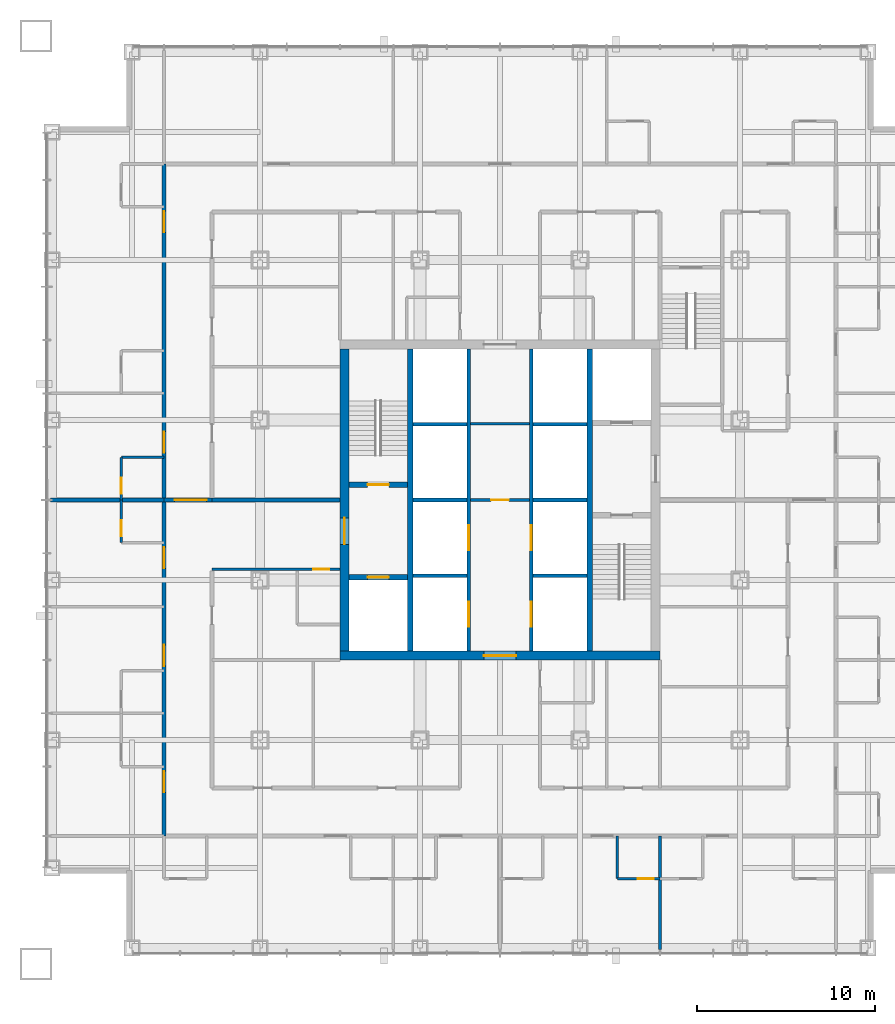
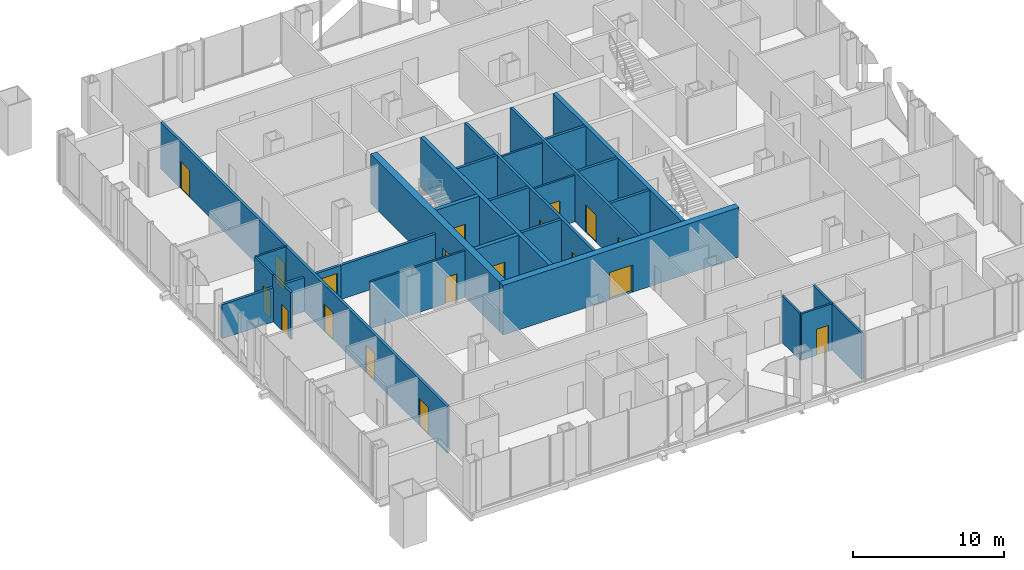
# One storey, part 8 of 13: 27 walls, 19 doors, 19 openings.
"""IFC4 building model written with IfcOpenShell, lengths in metres."""

from ifc_helpers import new_model, si_unit, direction, frame, frame_2d, origin, place, context, subcontext, project, spatial, rectangle, extrude, material, layer, layer_set, type_object, element, fill, save


model = new_model("IFC4")

# Units and contexts
model_context = context("Model", 3, precision=1e-05, world=origin(), true_north=direction((0.0, 1.0)))
body_context = subcontext(model_context, "Body", "Model", "MODEL_VIEW")
ifc_project = project(units=[si_unit("LENGTHUNIT", "METRE"), si_unit("AREAUNIT", "SQUARE_METRE"), si_unit("VOLUMEUNIT", "CUBIC_METRE"), si_unit("PLANEANGLEUNIT", "RADIAN"), si_unit("MASSUNIT", "GRAM", prefix="KILO")], contexts=[model_context])

# Site, building, storey
site_placement = place(None, origin())
site = spatial("IfcSite", under=ifc_project, at=site_placement, CompositionType="ELEMENT")
building_placement = place(site_placement, origin())
building = spatial("IfcBuilding", under=site, at=building_placement, Name="Malebo Sky Hospital", CompositionType="ELEMENT")
storey_placement = place(building_placement, frame((0.0, 0.0, 75.0)))
storey = spatial("IfcBuildingStorey", under=building, at=storey_placement, Name="L17", CompositionType="ELEMENT", Elevation=75.0)

# Wall, openings, doors
ifc_material_1 = material(Name="Concrete C80/95", Category="concrete")
ifc_layer_1 = layer(ifc_material_1, 0.199951171875)
ifc_layer_set_1 = layer_set([ifc_layer_1], Name="CORE INNER WALL 200")
wall_type_1 = type_object("IfcWallType", Name="CORE INNER WALL 200", PredefinedType="SHEAR", material=ifc_layer_set_1)
wall_1_placement = place(storey_placement, frame((58.25, 53.5, 0.0), z_axis=(0.0, 0.0, 1.0), x_axis=(0.0, 1.0, 0.0)))
wall_1 = element("IfcWall", 1, at=wall_1_placement, inside=storey, type_object=wall_type_1, Name="Core wall LW L17", PredefinedType="SHEAR", context=body_context, shape_type="SweptSolid", body=[
    extrude(rectangle(XDim=17.0, YDim=0.199951171875, at=frame_2d((8.5, 0.0))), origin(), (0.0, 0.0, 1.0), 4.0),
])
opening_1_placement = place(wall_1_placement, frame((1.375, 0.0, 0.0)))
opening_1 = element("IfcOpeningElement", 2, at=opening_1_placement, cuts=wall_1, Name="Opening LD1", PredefinedType="OPENING", context=body_context, shape_type="SweptSolid", body=[
    extrude(rectangle(XDim=1.39990234375, YDim=2.199951171875, at=frame_2d((0.699951171875, 1.10009765625))), frame((0.0, 0.10986328125, 0.0), z_axis=(0.0, -1.0, 0.0), x_axis=(1.0, 0.0, 0.0)), (0.0, 0.0, 1.0), 0.219970703125),
])
opening_2_placement = place(wall_1_placement, frame((5.675048828125, 0.0, 0.0)))
opening_2 = element("IfcOpeningElement", 3, at=opening_2_placement, cuts=wall_1, Name="Opening LD1", PredefinedType="OPENING", context=body_context, shape_type="SweptSolid", body=[
    extrude(rectangle(XDim=1.39990234375, YDim=2.199951171875, at=frame_2d((0.699951171875, 1.10009765625))), frame((0.0, 0.10986328125, 0.0), z_axis=(0.0, -1.0, 0.0), x_axis=(1.0, 0.0, 0.0)), (0.0, 0.0, 1.0), 0.219970703125),
])
ifc_material_2 = material(Name="Stainless steel sliding landing door", Category="steel")
door_type_1 = type_object("IfcDoorType", Name="LIFT LANDING DOOR 1400", OperationType="SLIDING_TO_LEFT", PredefinedType="DOOR", material=ifc_material_2)
door_1_placement = place(opening_1_placement, origin())
door_1 = element("IfcDoor", 4, at=door_1_placement, inside=storey, type_object=door_type_1, Name="Lift W1 landing door", OperationType="SLIDING_TO_LEFT", OverallHeight=2.199951171875, OverallWidth=1.39990234375, PredefinedType="DOOR", context=body_context, shape_type="SweptSolid", body=[
    extrude(rectangle(XDim=1.39990234375, YDim=2.199951171875, at=frame_2d((0.699951171875, 1.10009765625))), frame((0.0, 0.02490234375, 0.0), z_axis=(0.0, -1.0, 0.0), x_axis=(1.0, 0.0, 0.0)), (0.0, 0.0, 1.0), 0.050048828125),
])
fill(opening_1, door_1)
door_2_placement = place(opening_2_placement, origin())
door_2 = element("IfcDoor", 5, at=door_2_placement, inside=storey, type_object=door_type_1, Name="Lift W2 landing door", OperationType="SLIDING_TO_LEFT", OverallHeight=2.199951171875, OverallWidth=1.39990234375, PredefinedType="DOOR", context=body_context, shape_type="SweptSolid", body=[
    extrude(rectangle(XDim=1.39990234375, YDim=2.199951171875, at=frame_2d((0.699951171875, 1.10009765625))), frame((0.0, 0.02490234375, 0.0), z_axis=(0.0, -1.0, 0.0), x_axis=(1.0, 0.0, 0.0)), (0.0, 0.0, 1.0), 0.050048828125),
])
fill(opening_2, door_2)

wall_2_placement = place(storey_placement, frame((61.75, 53.5, 0.0), z_axis=(0.0, 0.0, 1.0), x_axis=(0.0, 1.0, 0.0)))
wall_2 = element("IfcWall", 6, at=wall_2_placement, inside=storey, type_object=wall_type_1, Name="Core wall LE L17", PredefinedType="SHEAR", context=body_context, shape_type="SweptSolid", body=[
    extrude(rectangle(XDim=17.0, YDim=0.199951171875, at=frame_2d((8.5, 0.0))), origin(), (0.0, 0.0, 1.0), 4.0),
])
opening_3_placement = place(wall_2_placement, frame((1.375, 0.0, 0.0)))
opening_3 = element("IfcOpeningElement", 7, at=opening_3_placement, cuts=wall_2, Name="Opening LD1", PredefinedType="OPENING", context=body_context, shape_type="SweptSolid", body=[
    extrude(rectangle(XDim=1.39990234375, YDim=2.199951171875, at=frame_2d((0.699951171875, 1.10009765625))), frame((0.0, 0.10986328125, 0.0), z_axis=(0.0, -1.0, 0.0), x_axis=(1.0, 0.0, 0.0)), (0.0, 0.0, 1.0), 0.219970703125),
])
opening_4_placement = place(wall_2_placement, frame((5.675048828125, 0.0, 0.0)))
opening_4 = element("IfcOpeningElement", 8, at=opening_4_placement, cuts=wall_2, Name="Opening LD1", PredefinedType="OPENING", context=body_context, shape_type="SweptSolid", body=[
    extrude(rectangle(XDim=1.39990234375, YDim=2.199951171875, at=frame_2d((0.699951171875, 1.10009765625))), frame((0.0, 0.10986328125, 0.0), z_axis=(0.0, -1.0, 0.0), x_axis=(1.0, 0.0, 0.0)), (0.0, 0.0, 1.0), 0.219970703125),
])
door_3_placement = place(opening_3_placement, origin())
door_3 = element("IfcDoor", 9, at=door_3_placement, inside=storey, type_object=door_type_1, Name="Lift E1 landing door", OperationType="SLIDING_TO_LEFT", OverallHeight=2.199951171875, OverallWidth=1.39990234375, PredefinedType="DOOR", context=body_context, shape_type="SweptSolid", body=[
    extrude(rectangle(XDim=1.39990234375, YDim=2.199951171875, at=frame_2d((0.699951171875, 1.10009765625))), frame((0.0, 0.02490234375, 0.0), z_axis=(0.0, -1.0, 0.0), x_axis=(1.0, 0.0, 0.0)), (0.0, 0.0, 1.0), 0.050048828125),
])
fill(opening_3, door_3)
door_4_placement = place(opening_4_placement, origin())
door_4 = element("IfcDoor", 10, at=door_4_placement, inside=storey, type_object=door_type_1, Name="Lift E2 landing door", OperationType="SLIDING_TO_LEFT", OverallHeight=2.199951171875, OverallWidth=1.39990234375, PredefinedType="DOOR", context=body_context, shape_type="SweptSolid", body=[
    extrude(rectangle(XDim=1.39990234375, YDim=2.199951171875, at=frame_2d((0.699951171875, 1.10009765625))), frame((0.0, 0.02490234375, 0.0), z_axis=(0.0, -1.0, 0.0), x_axis=(1.0, 0.0, 0.0)), (0.0, 0.0, 1.0), 0.050048828125),
])
fill(opening_4, door_4)

# Walls
for number, where, z_axis, x_axis, name in (
    (11, (55.10009765625, 57.75, 0.0), (0.0, 0.0, 1.0), (1.0, 0.0, 0.0), "Core wall SW0 L17"),
    (12, (61.85009765625, 57.75, 0.0), (0.0, 0.0, 1.0), (1.0, 0.0, 0.0), "Core wall SE0 L17"),
    (13, (55.10009765625, 62.0, 0.0), (0.0, 0.0, 1.0), (1.0, 0.0, 0.0), "Core wall SW1 L17"),
    (14, (61.85009765625, 62.0, 0.0), (0.0, 0.0, 1.0), (1.0, 0.0, 0.0), "Core wall SE1 L17"),
    (15, (55.10009765625, 66.25, 0.0), (0.0, 0.0, 1.0), (1.0, 0.0, 0.0), "Core wall SW2 L17"),
    (16, (61.85009765625, 66.25, 0.0), (0.0, 0.0, 1.0), (1.0, 0.0, 0.0), "Core wall SE2 L17"),
):
    element("IfcWall", number, at=place(storey_placement, frame(where, z_axis=z_axis, x_axis=x_axis)), inside=storey, type_object=wall_type_1, Name=name, PredefinedType="SHEAR", context=body_context, shape_type="SweptSolid", body=[
        extrude(rectangle(XDim=3.0498046875, YDim=0.199951171875, at=frame_2d((1.52490234375, 0.0))), origin(), (0.0, 0.0, 1.0), 4.0),
    ])
ifc_layer_2 = layer(ifc_material_1, 0.300048828125)
ifc_layer_set_2 = layer_set([ifc_layer_2], Name="CORE INNER WALL 300")
wall_type_2 = type_object("IfcWallType", Name="CORE INNER WALL 300", PredefinedType="SHEAR", material=ifc_layer_set_2)
for number, where, z_axis, x_axis, name in (
    (17, (54.949951171875, 53.5, 0.0), (0.0, 0.0, 1.0), (0.0, 1.0, 0.0), "Core wall XW L17"),
    (18, (65.050048828125, 53.5, 0.0), (0.0, 0.0, 1.0), (0.0, 1.0, 0.0), "Core wall XE L17"),
):
    element("IfcWall", number, at=place(storey_placement, frame(where, z_axis=z_axis, x_axis=x_axis)), inside=storey, type_object=wall_type_2, Name=name, PredefinedType="SHEAR", context=body_context, shape_type="SweptSolid", body=[
        extrude(rectangle(XDim=17.0, YDim=0.300048828125, at=frame_2d((8.5, 0.0))), origin(), (0.0, 0.0, 1.0), 4.0),
    ])

# Wall, opening, door
wall_3_placement = place(storey_placement, frame((51.5, 62.85009765625, 0.0), z_axis=(0.0, 0.0, 1.0), x_axis=(1.0, 0.0, 0.0)))
wall_3 = element("IfcWall", 19, at=wall_3_placement, inside=storey, type_object=wall_type_2, Name="Core wall W1 L17", PredefinedType="SHEAR", context=body_context, shape_type="SweptSolid", body=[
    extrude(rectangle(XDim=3.300048828125, YDim=0.300048828125, at=frame_2d((1.64990234375, 0.0))), origin(), (0.0, 0.0, 1.0), 4.0),
])
opening_5_placement = place(wall_3_placement, frame((1.050048828125, 0.0, 0.0)))
opening_5 = element("IfcOpeningElement", 20, at=opening_5_placement, cuts=wall_3, Name="Opening D08", PredefinedType="OPENING", context=body_context, shape_type="SweptSolid", body=[
    extrude(rectangle(XDim=1.199951171875, YDim=2.10009765625, at=frame_2d((0.60009765625, 1.050048828125))), frame((0.0, 0.159912109375, 0.0), z_axis=(0.0, -1.0, 0.0), x_axis=(1.0, 0.0, 0.0)), (0.0, 0.0, 1.0), 0.320068359375),
])
ifc_material_3 = material(Name="Hardwood-faced door leaf in steel frame", Category="steel")
door_type_2 = type_object("IfcDoorType", Name="STAIR DOOR 1200", OperationType="SINGLE_SWING_LEFT", PredefinedType="DOOR", material=ifc_material_3)
door_5_placement = place(opening_5_placement, origin())
door_5 = element("IfcDoor", 21, at=door_5_placement, inside=storey, type_object=door_type_2, Name="Stair S1 door", OperationType="SINGLE_SWING_LEFT", OverallHeight=2.10009765625, OverallWidth=1.199951171875, PredefinedType="DOOR", context=body_context, shape_type="SweptSolid", body=[
    extrude(rectangle(XDim=1.199951171875, YDim=2.10009765625, at=frame_2d((0.60009765625, 1.050048828125))), frame((0.0, 0.02490234375, 0.0), z_axis=(0.0, -1.0, 0.0), x_axis=(1.0, 0.0, 0.0)), (0.0, 0.0, 1.0), 0.050048828125),
])
fill(opening_5, door_5)

wall_4_placement = place(storey_placement, frame((51.5, 57.64990234375, 0.0), z_axis=(0.0, 0.0, 1.0), x_axis=(1.0, 0.0, 0.0)))
wall_4 = element("IfcWall", 22, at=wall_4_placement, inside=storey, type_object=wall_type_2, Name="Core wall W2 L17", PredefinedType="SHEAR", context=body_context, shape_type="SweptSolid", body=[
    extrude(rectangle(XDim=3.300048828125, YDim=0.300048828125, at=frame_2d((1.64990234375, 0.0))), origin(), (0.0, 0.0, 1.0), 4.0),
])
opening_6_placement = place(wall_4_placement, frame((1.050048828125, 0.0, 0.0)))
opening_6 = element("IfcOpeningElement", 23, at=opening_6_placement, cuts=wall_4, Name="Opening LD2", PredefinedType="OPENING", context=body_context, shape_type="SweptSolid", body=[
    extrude(rectangle(XDim=1.199951171875, YDim=2.199951171875, at=frame_2d((0.60009765625, 1.10009765625))), frame((0.0, 0.159912109375, 0.0), z_axis=(0.0, -1.0, 0.0), x_axis=(1.0, 0.0, 0.0)), (0.0, 0.0, 1.0), 0.320068359375),
])
door_type_3 = type_object("IfcDoorType", Name="FIRE-FIGHTING LIFT LANDING DOOR 1200", OperationType="SLIDING_TO_LEFT", PredefinedType="DOOR", material=ifc_material_2)
door_6_placement = place(opening_6_placement, origin())
door_6 = element("IfcDoor", 24, at=door_6_placement, inside=storey, type_object=door_type_3, Name="Lift FL1 landing door", OperationType="SLIDING_TO_LEFT", OverallHeight=2.199951171875, OverallWidth=1.199951171875, PredefinedType="DOOR", context=body_context, shape_type="SweptSolid", body=[
    extrude(rectangle(XDim=1.199951171875, YDim=2.199951171875, at=frame_2d((0.60009765625, 1.10009765625))), frame((0.0, 0.02490234375, 0.0), z_axis=(0.0, -1.0, 0.0), x_axis=(1.0, 0.0, 0.0)), (0.0, 0.0, 1.0), 0.050048828125),
])
fill(opening_6, door_6)

ifc_layer_3 = layer(ifc_material_1, 0.5)
ifc_layer_set_3 = layer_set([ifc_layer_3], Name="CORE WALL 500")
wall_type_3 = type_object("IfcWallType", Name="CORE WALL 500", PredefinedType="SHEAR", material=ifc_layer_set_3)
wall_5_placement = place(storey_placement, frame((51.0, 53.25, 0.0), z_axis=(0.0, 0.0, 1.0), x_axis=(1.0, 0.0, 0.0)))
wall_5 = element("IfcWall", 25, at=wall_5_placement, inside=storey, type_object=wall_type_3, Name="Core wall S L17", PredefinedType="SHEAR", context=body_context, shape_type="SweptSolid", body=[
    extrude(rectangle(XDim=18.0, YDim=0.5, at=frame_2d((9.0, 0.0))), origin(), (0.0, 0.0, 1.0), 4.0),
])
opening_7_placement = place(wall_5_placement, frame((8.10009765625, 0.0, 0.0)))
opening_7 = element("IfcOpeningElement", 26, at=opening_7_placement, cuts=wall_5, Name="Opening D06", PredefinedType="OPENING", context=body_context, shape_type="SweptSolid", body=[
    extrude(rectangle(XDim=1.800048828125, YDim=2.199951171875, at=frame_2d((0.89990234375, 1.10009765625))), frame((0.0, 0.260009765625, 0.0), z_axis=(0.0, -1.0, 0.0), x_axis=(1.0, 0.0, 0.0)), (0.0, 0.0, 1.0), 0.52001953125),
])
door_type_4 = type_object("IfcDoorType", Name="LOBBY DOOR PAIR 1800", OperationType="DOUBLE_DOOR_SINGLE_SWING", PredefinedType="DOOR", material=ifc_material_3)
door_7_placement = place(opening_7_placement, origin())
door_7 = element("IfcDoor", 27, at=door_7_placement, inside=storey, type_object=door_type_4, Name="Lift lobby door south", OperationType="DOUBLE_DOOR_SINGLE_SWING", OverallHeight=2.199951171875, OverallWidth=1.800048828125, PredefinedType="DOOR", context=body_context, shape_type="SweptSolid", body=[
    extrude(rectangle(XDim=1.800048828125, YDim=2.199951171875, at=frame_2d((0.89990234375, 1.10009765625))), frame((0.0, 0.02490234375, 0.0), z_axis=(0.0, -1.0, 0.0), x_axis=(1.0, 0.0, 0.0)), (0.0, 0.0, 1.0), 0.050048828125),
])
fill(opening_7, door_7)

wall_6_placement = place(storey_placement, frame((51.25, 53.5, 0.0), z_axis=(0.0, 0.0, 1.0), x_axis=(0.0, 1.0, 0.0)))
wall_6 = element("IfcWall", 28, at=wall_6_placement, inside=storey, type_object=wall_type_3, Name="Core wall W L17", PredefinedType="SHEAR", context=body_context, shape_type="SweptSolid", body=[
    extrude(rectangle(XDim=17.0, YDim=0.5, at=frame_2d((8.5, 0.0))), origin(), (0.0, 0.0, 1.0), 4.0),
])
opening_8_placement = place(wall_6_placement, frame((6.0, 0.0, 0.0)))
opening_8 = element("IfcOpeningElement", 29, at=opening_8_placement, cuts=wall_6, Name="Opening D07", PredefinedType="OPENING", context=body_context, shape_type="SweptSolid", body=[
    extrude(rectangle(XDim=1.5, YDim=2.199951171875, at=frame_2d((0.75, 1.10009765625))), frame((0.0, 0.260009765625, 0.0), z_axis=(0.0, -1.0, 0.0), x_axis=(1.0, 0.0, 0.0)), (0.0, 0.0, 1.0), 0.52001953125),
])
door_type_5 = type_object("IfcDoorType", Name="FIRE-FIGHTING LOBBY DOOR PAIR 1500", OperationType="DOUBLE_DOOR_SINGLE_SWING", PredefinedType="DOOR", material=ifc_material_3)
door_8_placement = place(opening_8_placement, origin())
door_8 = element("IfcDoor", 30, at=door_8_placement, inside=storey, type_object=door_type_5, Name="Fire-fighting lobby door west", OperationType="DOUBLE_DOOR_SINGLE_SWING", OverallHeight=2.199951171875, OverallWidth=1.5, PredefinedType="DOOR", context=body_context, shape_type="SweptSolid", body=[
    extrude(rectangle(XDim=1.5, YDim=2.199951171875, at=frame_2d((0.75, 1.10009765625))), frame((0.0, 0.02490234375, 0.0), z_axis=(0.0, -1.0, 0.0), x_axis=(1.0, 0.0, 0.0)), (0.0, 0.0, 1.0), 0.050048828125),
])
fill(opening_8, door_8)

# Wall, openings, doors
ifc_material_4 = material(Name="Gypsum board on steel studs", Category="steel")
ifc_layer_4 = layer(ifc_material_4, 0.199951171875)
ifc_layer_set_4 = layer_set([ifc_layer_4], Name="CORRIDOR WALL 200")
wall_type_4 = type_object("IfcWallType", Name="CORRIDOR WALL 200", PredefinedType="PARTITIONING", material=ifc_layer_set_4)
wall_7_placement = place(storey_placement, frame((41.10009765625, 43.10009765625, 0.0), z_axis=(0.0, 0.0, 1.0), x_axis=(0.0, 1.0, 0.0)))
wall_7 = element("IfcWall", 31, at=wall_7_placement, inside=storey, type_object=wall_type_4, Name="Corridor Wall 200 WCO", PredefinedType="PARTITIONING", context=body_context, shape_type="SweptSolid", body=[
    extrude(rectangle(XDim=37.7998046875, YDim=0.199951171875, at=frame_2d((18.89990234375, 0.0))), origin(), (0.0, 0.0, 1.0), 3.75),
])
opening_9_placement = place(wall_7_placement, frame((2.449951171875, 0.0, 0.0)))
opening_9 = element("IfcOpeningElement", 32, at=opening_9_placement, cuts=wall_7, Name="Opening D01", PredefinedType="OPENING", context=body_context, shape_type="SweptSolid", body=[
    extrude(rectangle(XDim=1.199951171875, YDim=2.199951171875, at=frame_2d((0.60009765625, 1.10009765625))), frame((0.0, 0.10986328125, 0.0), z_axis=(0.0, -1.0, 0.0), x_axis=(1.0, 0.0, 0.0)), (0.0, 0.0, 1.0), 0.219970703125),
])
opening_10_placement = place(wall_7_placement, frame((9.550048828125, 0.0, 0.0)))
opening_10 = element("IfcOpeningElement", 33, at=opening_10_placement, cuts=wall_7, Name="Opening D01", PredefinedType="OPENING", context=body_context, shape_type="SweptSolid", body=[
    extrude(rectangle(XDim=1.199951171875, YDim=2.199951171875, at=frame_2d((0.60009765625, 1.10009765625))), frame((0.0, 0.10986328125, 0.0), z_axis=(0.0, -1.0, 0.0), x_axis=(1.0, 0.0, 0.0)), (0.0, 0.0, 1.0), 0.219970703125),
])
opening_11_placement = place(wall_7_placement, frame((15.050048828125, 0.0, 0.0)))
opening_11 = element("IfcOpeningElement", 34, at=opening_11_placement, cuts=wall_7, Name="Opening D01", PredefinedType="OPENING", context=body_context, shape_type="SweptSolid", body=[
    extrude(rectangle(XDim=1.199951171875, YDim=2.199951171875, at=frame_2d((0.60009765625, 1.10009765625))), frame((0.0, 0.10986328125, 0.0), z_axis=(0.0, -1.0, 0.0), x_axis=(1.0, 0.0, 0.0)), (0.0, 0.0, 1.0), 0.219970703125),
])
opening_12_placement = place(wall_7_placement, frame((21.550048828125, 0.0, 0.0)))
opening_12 = element("IfcOpeningElement", 35, at=opening_12_placement, cuts=wall_7, Name="Opening D01", PredefinedType="OPENING", context=body_context, shape_type="SweptSolid", body=[
    extrude(rectangle(XDim=1.199951171875, YDim=2.199951171875, at=frame_2d((0.60009765625, 1.10009765625))), frame((0.0, 0.10986328125, 0.0), z_axis=(0.0, -1.0, 0.0), x_axis=(1.0, 0.0, 0.0)), (0.0, 0.0, 1.0), 0.219970703125),
])
opening_13_placement = place(wall_7_placement, frame((33.949951171875, 0.0, 0.0)))
opening_13 = element("IfcOpeningElement", 36, at=opening_13_placement, cuts=wall_7, Name="Opening D01", PredefinedType="OPENING", context=body_context, shape_type="SweptSolid", body=[
    extrude(rectangle(XDim=1.199951171875, YDim=2.199951171875, at=frame_2d((0.60009765625, 1.10009765625))), frame((0.0, 0.10986328125, 0.0), z_axis=(0.0, -1.0, 0.0), x_axis=(1.0, 0.0, 0.0)), (0.0, 0.0, 1.0), 0.219970703125),
])
door_type_6 = type_object("IfcDoorType", Name="BED DOOR 1200", OperationType="SINGLE_SWING_LEFT", PredefinedType="DOOR", material=ifc_material_3)
door_9_placement = place(opening_9_placement, origin())
door_9 = element("IfcDoor", 37, at=door_9_placement, inside=storey, type_object=door_type_6, Name="Single bed room door", OperationType="SINGLE_SWING_RIGHT", OverallHeight=2.199951171875, OverallWidth=1.199951171875, PredefinedType="DOOR", context=body_context, shape_type="SweptSolid", body=[
    extrude(rectangle(XDim=1.199951171875, YDim=2.199951171875, at=frame_2d((0.60009765625, 1.10009765625))), frame((0.0, 0.02490234375, 0.0), z_axis=(0.0, -1.0, 0.0), x_axis=(1.0, 0.0, 0.0)), (0.0, 0.0, 1.0), 0.050048828125),
])
fill(opening_9, door_9)
door_10_placement = place(opening_10_placement, origin())
door_10 = element("IfcDoor", 38, at=door_10_placement, inside=storey, type_object=door_type_6, Name="Single bed room door", OperationType="SINGLE_SWING_LEFT", OverallHeight=2.199951171875, OverallWidth=1.199951171875, PredefinedType="DOOR", context=body_context, shape_type="SweptSolid", body=[
    extrude(rectangle(XDim=1.199951171875, YDim=2.199951171875, at=frame_2d((0.60009765625, 1.10009765625))), frame((0.0, 0.02490234375, 0.0), z_axis=(0.0, -1.0, 0.0), x_axis=(1.0, 0.0, 0.0)), (0.0, 0.0, 1.0), 0.050048828125),
])
fill(opening_10, door_10)
door_11_placement = place(opening_11_placement, origin())
door_11 = element("IfcDoor", 39, at=door_11_placement, inside=storey, type_object=door_type_6, Name="Single bed room door", OperationType="SINGLE_SWING_RIGHT", OverallHeight=2.199951171875, OverallWidth=1.199951171875, PredefinedType="DOOR", context=body_context, shape_type="SweptSolid", body=[
    extrude(rectangle(XDim=1.199951171875, YDim=2.199951171875, at=frame_2d((0.60009765625, 1.10009765625))), frame((0.0, 0.02490234375, 0.0), z_axis=(0.0, -1.0, 0.0), x_axis=(1.0, 0.0, 0.0)), (0.0, 0.0, 1.0), 0.050048828125),
])
fill(opening_11, door_11)
door_12_placement = place(opening_12_placement, origin())
door_12 = element("IfcDoor", 40, at=door_12_placement, inside=storey, type_object=door_type_6, Name="Single bed room door", OperationType="SINGLE_SWING_LEFT", OverallHeight=2.199951171875, OverallWidth=1.199951171875, PredefinedType="DOOR", context=body_context, shape_type="SweptSolid", body=[
    extrude(rectangle(XDim=1.199951171875, YDim=2.199951171875, at=frame_2d((0.60009765625, 1.10009765625))), frame((0.0, 0.02490234375, 0.0), z_axis=(0.0, -1.0, 0.0), x_axis=(1.0, 0.0, 0.0)), (0.0, 0.0, 1.0), 0.050048828125),
])
fill(opening_12, door_12)
door_13_placement = place(opening_13_placement, origin())
door_13 = element("IfcDoor", 41, at=door_13_placement, inside=storey, type_object=door_type_6, Name="Four-bed bay door", OperationType="SINGLE_SWING_RIGHT", OverallHeight=2.199951171875, OverallWidth=1.199951171875, PredefinedType="DOOR", context=body_context, shape_type="SweptSolid", body=[
    extrude(rectangle(XDim=1.199951171875, YDim=2.199951171875, at=frame_2d((0.60009765625, 1.10009765625))), frame((0.0, 0.02490234375, 0.0), z_axis=(0.0, -1.0, 0.0), x_axis=(1.0, 0.0, 0.0)), (0.0, 0.0, 1.0), 0.050048828125),
])
fill(opening_13, door_13)

# Wall, opening, door
ifc_layer_5 = layer(ifc_material_4, 0.14990234375)
ifc_layer_set_5 = layer_set([ifc_layer_5], Name="PARTITION 150")
wall_type_5 = type_object("IfcWallType", Name="PARTITION 150", PredefinedType="PARTITIONING", material=ifc_layer_set_5)
wall_8_placement = place(storey_placement, frame((38.699951171875, 59.60009765625, 0.0), z_axis=(0.0, 0.0, 1.0), x_axis=(0.0, 1.0, 0.0)))
wall_8 = element("IfcWall", 42, at=wall_8_placement, inside=storey, type_object=wall_type_5, Name="Partition 150 WE2F", PredefinedType="PARTITIONING", context=body_context, shape_type="SweptSolid", body=[
    extrude(rectangle(XDim=2.39990234375, YDim=0.14990234375, at=frame_2d((1.199951171875, 0.0))), origin(), (0.0, 0.0, 1.0), 3.75),
])
opening_14_placement = place(wall_8_placement, frame((0.35009765625, 0.0, 0.0)))
opening_14 = element("IfcOpeningElement", 43, at=opening_14_placement, cuts=wall_8, Name="Opening D02", PredefinedType="OPENING", context=body_context, shape_type="SweptSolid", body=[
    extrude(rectangle(XDim=0.89990234375, YDim=2.10009765625, at=frame_2d((0.449951171875, 1.050048828125))), frame((0.0, 0.0849609375, 0.0), z_axis=(0.0, -1.0, 0.0), x_axis=(1.0, 0.0, 0.0)), (0.0, 0.0, 1.0), 0.169921875),
])
door_type_7 = type_object("IfcDoorType", Name="EN-SUITE DOOR 900", OperationType="SINGLE_SWING_LEFT", PredefinedType="DOOR", material=ifc_material_3)
door_14_placement = place(opening_14_placement, origin())
door_14 = element("IfcDoor", 44, at=door_14_placement, inside=storey, type_object=door_type_7, Name="En-suite door", OperationType="SINGLE_SWING_LEFT", OverallHeight=2.10009765625, OverallWidth=0.89990234375, PredefinedType="DOOR", context=body_context, shape_type="SweptSolid", body=[
    extrude(rectangle(XDim=0.89990234375, YDim=2.10009765625, at=frame_2d((0.449951171875, 1.050048828125))), frame((0.0, 0.02490234375, 0.0), z_axis=(0.0, -1.0, 0.0), x_axis=(1.0, 0.0, 0.0)), (0.0, 0.0, 1.0), 0.050048828125),
])
fill(opening_14, door_14)

wall_9_placement = place(storey_placement, frame((38.699951171875, 62.0, 0.0), z_axis=(0.0, 0.0, 1.0), x_axis=(0.0, 1.0, 0.0)))
wall_9 = element("IfcWall", 45, at=wall_9_placement, inside=storey, type_object=wall_type_5, Name="Partition 150 WE3F", PredefinedType="PARTITIONING", context=body_context, shape_type="SweptSolid", body=[
    extrude(rectangle(XDim=2.39990234375, YDim=0.14990234375, at=frame_2d((1.199951171875, 0.0))), origin(), (0.0, 0.0, 1.0), 3.75),
])
opening_15_placement = place(wall_9_placement, frame((0.35009765625, 0.0, 0.0)))
opening_15 = element("IfcOpeningElement", 46, at=opening_15_placement, cuts=wall_9, Name="Opening D02", PredefinedType="OPENING", context=body_context, shape_type="SweptSolid", body=[
    extrude(rectangle(XDim=0.89990234375, YDim=2.10009765625, at=frame_2d((0.449951171875, 1.050048828125))), frame((0.0, 0.0849609375, 0.0), z_axis=(0.0, -1.0, 0.0), x_axis=(1.0, 0.0, 0.0)), (0.0, 0.0, 1.0), 0.169921875),
])
door_15_placement = place(opening_15_placement, origin())
door_15 = element("IfcDoor", 47, at=door_15_placement, inside=storey, type_object=door_type_7, Name="En-suite door", OperationType="SINGLE_SWING_LEFT", OverallHeight=2.10009765625, OverallWidth=0.89990234375, PredefinedType="DOOR", context=body_context, shape_type="SweptSolid", body=[
    extrude(rectangle(XDim=0.89990234375, YDim=2.10009765625, at=frame_2d((0.449951171875, 1.050048828125))), frame((0.0, 0.02490234375, 0.0), z_axis=(0.0, -1.0, 0.0), x_axis=(1.0, 0.0, 0.0)), (0.0, 0.0, 1.0), 0.050048828125),
])
fill(opening_15, door_15)

# Wall
wall_10_placement = place(storey_placement, frame((41.10009765625, 64.39990234375, 0.0), z_axis=(0.0, 0.0, 1.0), x_axis=(-1.0, 0.0, 0.0)))
element("IfcWall", 48, at=wall_10_placement, inside=storey, type_object=wall_type_5, Name="Partition 150 WE3S", PredefinedType="PARTITIONING", context=body_context, shape_type="SweptSolid", body=[
    extrude(rectangle(XDim=2.400146484375, YDim=0.14990234375, at=frame_2d((1.2001953125, 0.0))), origin(), (0.0, 0.0, 1.0), 3.75),
])

# Wall, opening, door
wall_11_placement = place(storey_placement, frame((51.0, 58.10009765625, 0.0), z_axis=(0.0, 0.0, 1.0), x_axis=(-1.0, 0.0, 0.0)))
wall_11 = element("IfcWall", 49, at=wall_11_placement, inside=storey, type_object=wall_type_5, Name="Partition 150 WSPA", PredefinedType="PARTITIONING", context=body_context, shape_type="SweptSolid", body=[
    extrude(rectangle(XDim=7.199951171875, YDim=0.14990234375, at=frame_2d((3.60009765625, 0.0))), origin(), (0.0, 0.0, 1.0), 3.75),
])
opening_16_placement = place(wall_11_placement, frame((0.60009765625, 0.0, 0.0)))
opening_16 = element("IfcOpeningElement", 50, at=opening_16_placement, cuts=wall_11, Name="Opening D04", PredefinedType="OPENING", context=body_context, shape_type="SweptSolid", body=[
    extrude(rectangle(XDim=0.89990234375, YDim=2.10009765625, at=frame_2d((0.449951171875, 1.050048828125))), frame((0.0, 0.0849609375, 0.0), z_axis=(0.0, -1.0, 0.0), x_axis=(1.0, 0.0, 0.0)), (0.0, 0.0, 1.0), 0.169921875),
])
door_type_8 = type_object("IfcDoorType", Name="ROOM DOOR 900", OperationType="SINGLE_SWING_LEFT", PredefinedType="DOOR", material=ifc_material_3)
door_16_placement = place(opening_16_placement, origin())
door_16 = element("IfcDoor", 51, at=door_16_placement, inside=storey, type_object=door_type_8, Name="Cleaner's room door", OperationType="SINGLE_SWING_LEFT", OverallHeight=2.10009765625, OverallWidth=0.89990234375, PredefinedType="DOOR", context=body_context, shape_type="SweptSolid", body=[
    extrude(rectangle(XDim=0.89990234375, YDim=2.10009765625, at=frame_2d((0.449951171875, 1.050048828125))), frame((0.0, 0.02490234375, 0.0), z_axis=(0.0, -1.0, 0.0), x_axis=(1.0, 0.0, 0.0)), (0.0, 0.0, 1.0), 0.050048828125),
])
fill(opening_16, door_16)

# Wall
wall_12_placement = place(storey_placement, frame((69.0, 43.10009765625, 0.0), z_axis=(0.0, 0.0, 1.0), x_axis=(0.0, -1.0, 0.0)))
element("IfcWall", 52, at=wall_12_placement, inside=storey, type_object=wall_type_5, Name="Partition 150 SP-9.0", PredefinedType="PARTITIONING", context=body_context, shape_type="SweptSolid", body=[
    extrude(rectangle(XDim=6.375, YDim=0.14990234375, at=frame_2d((3.1875, 0.0))), origin(), (0.0, 0.0, 1.0), 3.75),
])

# Wall, opening, door
wall_13_placement = place(storey_placement, frame((69.0, 40.699951171875, 0.0), z_axis=(0.0, 0.0, 1.0), x_axis=(-1.0, 0.0, 0.0)))
wall_13 = element("IfcWall", 53, at=wall_13_placement, inside=storey, type_object=wall_type_5, Name="Partition 150 SE1F", PredefinedType="PARTITIONING", context=body_context, shape_type="SweptSolid", body=[
    extrude(rectangle(XDim=2.39990234375, YDim=0.14990234375, at=frame_2d((1.199951171875, 0.0))), origin(), (0.0, 0.0, 1.0), 3.75),
])
opening_17_placement = place(wall_13_placement, frame((0.35009765625, 0.0, 0.0)))
opening_17 = element("IfcOpeningElement", 54, at=opening_17_placement, cuts=wall_13, Name="Opening D02", PredefinedType="OPENING", context=body_context, shape_type="SweptSolid", body=[
    extrude(rectangle(XDim=0.89990234375, YDim=2.10009765625, at=frame_2d((0.449951171875, 1.050048828125))), frame((0.0, 0.0849609375, 0.0), z_axis=(0.0, -1.0, 0.0), x_axis=(1.0, 0.0, 0.0)), (0.0, 0.0, 1.0), 0.169921875),
])
door_17_placement = place(opening_17_placement, origin())
door_17 = element("IfcDoor", 55, at=door_17_placement, inside=storey, type_object=door_type_7, Name="En-suite door", OperationType="SINGLE_SWING_LEFT", OverallHeight=2.10009765625, OverallWidth=0.89990234375, PredefinedType="DOOR", context=body_context, shape_type="SweptSolid", body=[
    extrude(rectangle(XDim=0.89990234375, YDim=2.10009765625, at=frame_2d((0.449951171875, 1.050048828125))), frame((0.0, 0.02490234375, 0.0), z_axis=(0.0, -1.0, 0.0), x_axis=(1.0, 0.0, 0.0)), (0.0, 0.0, 1.0), 0.050048828125),
])
fill(opening_17, door_17)

# Wall
wall_14_placement = place(storey_placement, frame((66.60009765625, 43.10009765625, 0.0), z_axis=(0.0, 0.0, 1.0), x_axis=(0.0, -1.0, 0.0)))
element("IfcWall", 56, at=wall_14_placement, inside=storey, type_object=wall_type_5, Name="Partition 150 SE1S", PredefinedType="PARTITIONING", context=body_context, shape_type="SweptSolid", body=[
    extrude(rectangle(XDim=2.400146484375, YDim=0.14990234375, at=frame_2d((1.2001953125, 0.0))), origin(), (0.0, 0.0, 1.0), 3.75),
])

# Wall, opening, door
wall_15_placement = place(storey_placement, frame((58.35009765625, 62.0, 0.0), z_axis=(0.0, 0.0, 1.0), x_axis=(1.0, 0.0, 0.0)))
wall_15 = element("IfcWall", 57, at=wall_15_placement, inside=storey, type_object=wall_type_5, Name="Partition 150 LBN", PredefinedType="PARTITIONING", context=body_context, shape_type="SweptSolid", body=[
    extrude(rectangle(XDim=3.2998046875, YDim=0.14990234375, at=frame_2d((1.64990234375, 0.0))), origin(), (0.0, 0.0, 1.0), 3.75),
])
opening_18_placement = place(wall_15_placement, frame((1.14990234375, 0.0, 0.0)))
opening_18 = element("IfcOpeningElement", 58, at=opening_18_placement, cuts=wall_15, Name="Opening D03", PredefinedType="OPENING", context=body_context, shape_type="SweptSolid", body=[
    extrude(rectangle(XDim=1.0, YDim=2.10009765625, at=frame_2d((0.5, 1.050048828125))), frame((0.0, 0.0849609375, 0.0), z_axis=(0.0, -1.0, 0.0), x_axis=(1.0, 0.0, 0.0)), (0.0, 0.0, 1.0), 0.169921875),
])
door_type_9 = type_object("IfcDoorType", Name="ROOM DOOR 1000", OperationType="SINGLE_SWING_LEFT", PredefinedType="DOOR", material=ifc_material_3)
door_18_placement = place(opening_18_placement, origin())
door_18 = element("IfcDoor", 59, at=door_18_placement, inside=storey, type_object=door_type_9, Name="Pantry store door", OperationType="SINGLE_SWING_LEFT", OverallHeight=2.10009765625, OverallWidth=1.0, PredefinedType="DOOR", context=body_context, shape_type="SweptSolid", body=[
    extrude(rectangle(XDim=1.0, YDim=2.10009765625, at=frame_2d((0.5, 1.050048828125))), frame((0.0, 0.02490234375, 0.0), z_axis=(0.0, -1.0, 0.0), x_axis=(1.0, 0.0, 0.0)), (0.0, 0.0, 1.0), 0.050048828125),
])
fill(opening_18, door_18)

# Walls
wall_16_placement = place(storey_placement, frame((58.35009765625, 66.28759765625, 0.0), z_axis=(0.0, 0.0, 1.0), x_axis=(1.0, 0.0, 0.0)))
element("IfcWall", 60, at=wall_16_placement, inside=storey, type_object=wall_type_5, Name="Partition 150 LBN1", PredefinedType="PARTITIONING", context=body_context, shape_type="SweptSolid", body=[
    extrude(rectangle(XDim=3.2998046875, YDim=0.14990234375, at=frame_2d((1.64990234375, 0.0))), origin(), (0.0, 0.0, 1.0), 3.75),
])
ifc_material_5 = material(Name="Concrete blockwork", Category="masonry")
ifc_layer_6 = layer(ifc_material_5, 0.199951171875)
ifc_layer_set_6 = layer_set([ifc_layer_6], Name="SMOKE BARRIER WALL 200")
wall_type_6 = type_object("IfcWallType", Name="SMOKE BARRIER WALL 200", PredefinedType="SOLIDWALL", material=ifc_layer_set_6)
wall_17_placement = place(storey_placement, frame((41.10009765625, 62.0, 0.0), z_axis=(0.0, 0.0, 1.0), x_axis=(-1.0, 0.0, 0.0)))
element("IfcWall", 61, at=wall_17_placement, inside=storey, type_object=wall_type_6, Name="Smoke Barrier Wall 200 WP+0.0", PredefinedType="SOLIDWALL", context=body_context, shape_type="SweptSolid", body=[
    extrude(rectangle(XDim=6.375, YDim=0.199951171875, at=frame_2d((3.1875, 0.0))), origin(), (0.0, 0.0, 1.0), 2.75),
])
wall_18_placement = place(storey_placement, frame((51.0, 62.0, 0.0), z_axis=(0.0, 0.0, 1.0), x_axis=(-1.0, 0.0, 0.0)))
element("IfcWall", 62, at=wall_18_placement, inside=storey, type_object=wall_type_6, Name="Smoke Barrier Wall 200 WSPB", PredefinedType="SOLIDWALL", context=body_context, shape_type="SweptSolid", body=[
    extrude(rectangle(XDim=7.199951171875, YDim=0.199951171875, at=frame_2d((3.60009765625, 0.0))), origin(), (0.0, 0.0, 1.0), 2.75),
])

# Wall, opening, door
wall_19_placement = place(storey_placement, frame((43.800048828125, 62.0, 0.0), z_axis=(0.0, 0.0, 1.0), x_axis=(-1.0, 0.0, 0.0)))
wall_19 = element("IfcWall", 63, at=wall_19_placement, inside=storey, type_object=wall_type_6, Name="Smoke Barrier Wall 200 WSB", PredefinedType="SOLIDWALL", context=body_context, shape_type="SweptSolid", body=[
    extrude(rectangle(XDim=2.699951171875, YDim=0.199951171875, at=frame_2d((1.35009765625, 0.0))), origin(), (0.0, 0.0, 1.0), 2.75),
])
opening_19_placement = place(wall_19_placement, frame((0.300048828125, 0.0, 0.0)))
opening_19 = element("IfcOpeningElement", 64, at=opening_19_placement, cuts=wall_19, Name="Opening D05", PredefinedType="OPENING", context=body_context, shape_type="SweptSolid", body=[
    extrude(rectangle(XDim=1.800048828125, YDim=2.199951171875, at=frame_2d((0.89990234375, 1.10009765625))), frame((0.0, 0.10986328125, 0.0), z_axis=(0.0, -1.0, 0.0), x_axis=(1.0, 0.0, 0.0)), (0.0, 0.0, 1.0), 0.219970703125),
])
door_type_10 = type_object("IfcDoorType", Name="SMOKE DOOR PAIR 1800", OperationType="DOUBLE_DOOR_DOUBLE_SWING", PredefinedType="DOOR", material=ifc_material_3)
door_19_placement = place(opening_19_placement, origin())
door_19 = element("IfcDoor", 65, at=door_19_placement, inside=storey, type_object=door_type_10, Name="Smoke compartment door pair", OperationType="DOUBLE_DOOR_DOUBLE_SWING", OverallHeight=2.199951171875, OverallWidth=1.800048828125, PredefinedType="DOOR", context=body_context, shape_type="SweptSolid", body=[
    extrude(rectangle(XDim=1.800048828125, YDim=2.199951171875, at=frame_2d((0.89990234375, 1.10009765625))), frame((0.0, 0.02490234375, 0.0), z_axis=(0.0, -1.0, 0.0), x_axis=(1.0, 0.0, 0.0)), (0.0, 0.0, 1.0), 0.050048828125),
])
fill(opening_19, door_19)

save(model, "model.ifc")
